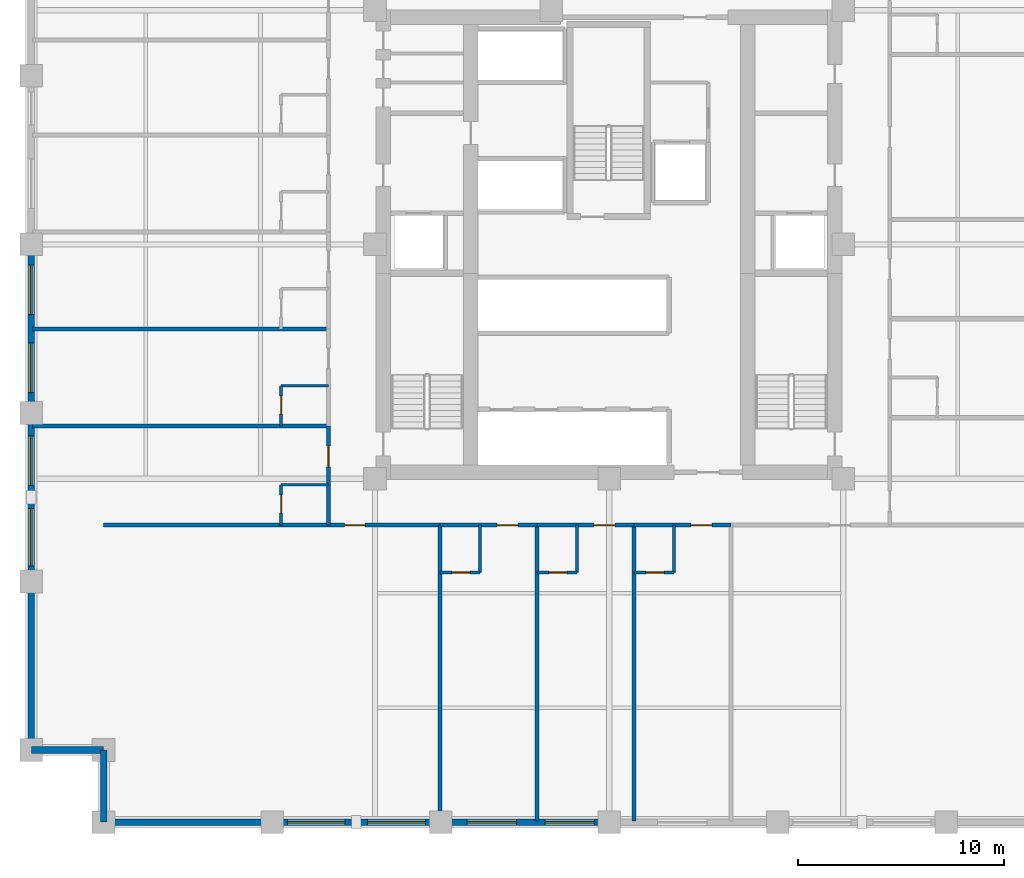
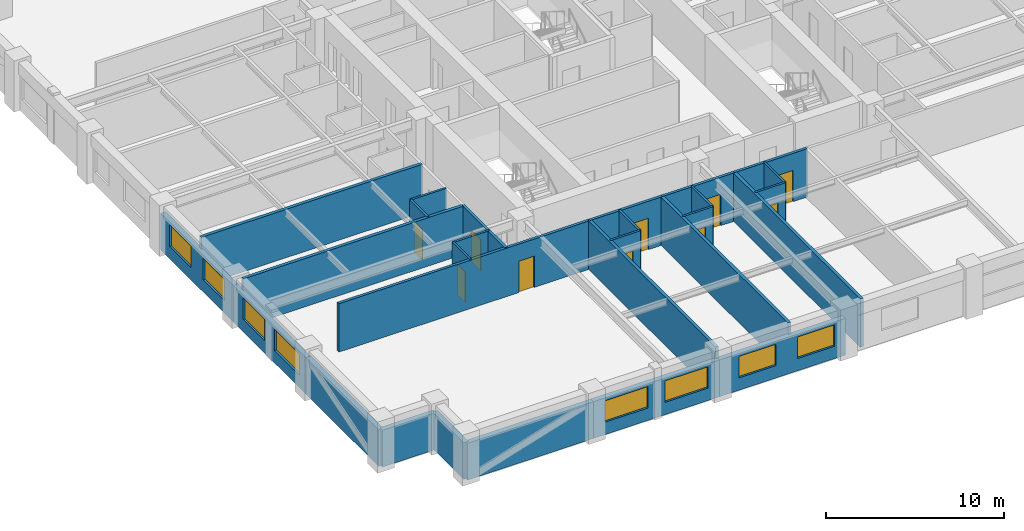
# One storey, part 2 of 8: 28 walls, 10 doors, 8 windows, 18 openings.
"""IFC4 building model written with IfcOpenShell, lengths in metres."""

from ifc_helpers import new_model, si_unit, direction, frame, frame_2d, origin, place, context, subcontext, project, spatial, rectangle, extrude, material, layer, layer_set, type_object, element, fill, save


model = new_model("IFC4")

# Units and contexts
model_context = context("Model", 3, precision=1e-05, world=origin(), true_north=direction((0.0, 1.0)))
body_context = subcontext(model_context, "Body", "Model", "MODEL_VIEW")
ifc_project = project(units=[si_unit("LENGTHUNIT", "METRE"), si_unit("AREAUNIT", "SQUARE_METRE"), si_unit("VOLUMEUNIT", "CUBIC_METRE"), si_unit("PLANEANGLEUNIT", "RADIAN"), si_unit("MASSUNIT", "GRAM", prefix="KILO")], contexts=[model_context])

# Site, building, storey
site_placement = place(None, origin())
site = spatial("IfcSite", under=ifc_project, at=site_placement, CompositionType="ELEMENT")
building_placement = place(site_placement, origin())
building = spatial("IfcBuilding", under=site, at=building_placement, Name="Nhamokura Convention Tower", CompositionType="ELEMENT")
storey_placement = place(building_placement, frame((0.0, 0.0, 45.85009765625)))
storey = spatial("IfcBuildingStorey", under=building, at=storey_placement, Name="L09", CompositionType="ELEMENT", Elevation=45.85009765625)

# Wall
ifc_material_1 = material(Name="Moisture-resistant tile-backer partition", Category="masonry")
ifc_layer_1 = layer(ifc_material_1, 0.139892578125)
ifc_layer_set_1 = layer_set([ifc_layer_1], Name="BathroomWetWall_140")
wall_type_1 = type_object("IfcWallType", Name="BathroomWetWall_140", PredefinedType="STANDARD", material=ifc_layer_set_1)
wall_1_placement = place(storey_placement, frame((25.75, 16.10009765625, 0.0), z_axis=(0.0, 0.0, 1.0), x_axis=(0.0, 1.0, 0.0)))
element("IfcWall", 1, at=wall_1_placement, inside=storey, type_object=wall_type_1, Name="L09 Wall INT-L09-BW-S01E", PredefinedType="STANDARD", context=body_context, shape_type="SweptSolid", body=[
    extrude(rectangle(XDim=2.2998046875, YDim=0.139892578125, at=frame_2d((1.14990234375, 0.0))), origin(), (0.0, 0.0, 1.0), 3.31982421875),
])

# Wall, opening, door
wall_2_placement = place(storey_placement, frame((23.800048828125, 16.10009765625, 0.0), z_axis=(0.0, 0.0, 1.0), x_axis=(1.0, 0.0, 0.0)))
wall_2 = element("IfcWall", 2, at=wall_2_placement, inside=storey, type_object=wall_type_1, Name="L09 Wall INT-L09-BW-S01S", PredefinedType="STANDARD", context=body_context, shape_type="SweptSolid", body=[
    extrude(rectangle(XDim=1.949951171875, YDim=0.139892578125, at=frame_2d((0.97509765625, 0.0))), origin(), (0.0, 0.0, 1.0), 3.31982421875),
])
opening_1_placement = place(wall_2_placement, frame((0.580078125, 0.0, 0.0)))
opening_1 = element("IfcOpeningElement", 3, at=opening_1_placement, cuts=wall_2, Name="Opening D-11", PredefinedType="OPENING", context=body_context, shape_type="SweptSolid", body=[
    extrude(rectangle(XDim=0.8798828125, YDim=2.10009765625, at=frame_2d((0.43994140625, 1.050048828125))), frame((0.0, 0.079833984375, 0.0), z_axis=(0.0, -1.0, 0.0), x_axis=(1.0, 0.0, 0.0)), (0.0, 0.0, 1.0), 0.159912109375),
])
ifc_material_2 = material(Name="Solid oak hardwood", Category="wood")
door_type_1 = type_object("IfcDoorType", Name="BathroomDoor_880", OperationType="NOTDEFINED", PredefinedType="DOOR", material=ifc_material_2)
door_1_placement = place(opening_1_placement, origin())
door_1 = element("IfcDoor", 4, at=door_1_placement, inside=storey, type_object=door_type_1, Name="L09 Guest Room En-suite Door", OperationType="SINGLE_SWING_LEFT", OverallHeight=2.10009765625, OverallWidth=0.8798828125, PredefinedType="DOOR", context=body_context, shape_type="SweptSolid", body=[
    extrude(rectangle(XDim=0.8798828125, YDim=2.10009765625, at=frame_2d((0.43994140625, 1.050048828125))), frame((0.0, 0.02490234375, 0.0), z_axis=(0.0, -1.0, 0.0), x_axis=(1.0, 0.0, 0.0)), (0.0, 0.0, 1.0), 0.050048828125),
])
fill(opening_1, door_1)

# Wall
wall_3_placement = place(storey_placement, frame((30.449951171875, 16.10009765625, 0.0), z_axis=(0.0, 0.0, 1.0), x_axis=(0.0, 1.0, 0.0)))
element("IfcWall", 5, at=wall_3_placement, inside=storey, type_object=wall_type_1, Name="L09 Wall INT-L09-BW-S02E", PredefinedType="STANDARD", context=body_context, shape_type="SweptSolid", body=[
    extrude(rectangle(XDim=2.2998046875, YDim=0.139892578125, at=frame_2d((1.14990234375, 0.0))), origin(), (0.0, 0.0, 1.0), 3.31982421875),
])

# Wall, opening, door
wall_4_placement = place(storey_placement, frame((28.5, 16.10009765625, 0.0), z_axis=(0.0, 0.0, 1.0), x_axis=(1.0, 0.0, 0.0)))
wall_4 = element("IfcWall", 6, at=wall_4_placement, inside=storey, type_object=wall_type_1, Name="L09 Wall INT-L09-BW-S02S", PredefinedType="STANDARD", context=body_context, shape_type="SweptSolid", body=[
    extrude(rectangle(XDim=1.949951171875, YDim=0.139892578125, at=frame_2d((0.97509765625, 0.0))), origin(), (0.0, 0.0, 1.0), 3.31982421875),
])
opening_2_placement = place(wall_4_placement, frame((0.580078125, 0.0, 0.0)))
opening_2 = element("IfcOpeningElement", 7, at=opening_2_placement, cuts=wall_4, Name="Opening D-11", PredefinedType="OPENING", context=body_context, shape_type="SweptSolid", body=[
    extrude(rectangle(XDim=0.8798828125, YDim=2.10009765625, at=frame_2d((0.43994140625, 1.050048828125))), frame((0.0, 0.079833984375, 0.0), z_axis=(0.0, -1.0, 0.0), x_axis=(1.0, 0.0, 0.0)), (0.0, 0.0, 1.0), 0.159912109375),
])
door_2_placement = place(opening_2_placement, origin())
door_2 = element("IfcDoor", 8, at=door_2_placement, inside=storey, type_object=door_type_1, Name="L09 Corner Suite En-suite Door", OperationType="SINGLE_SWING_LEFT", OverallHeight=2.10009765625, OverallWidth=0.8798828125, PredefinedType="DOOR", context=body_context, shape_type="SweptSolid", body=[
    extrude(rectangle(XDim=0.8798828125, YDim=2.10009765625, at=frame_2d((0.43994140625, 1.050048828125))), frame((0.0, 0.02490234375, 0.0), z_axis=(0.0, -1.0, 0.0), x_axis=(1.0, 0.0, 0.0)), (0.0, 0.0, 1.0), 0.050048828125),
])
fill(opening_2, door_2)

# Wall
wall_5_placement = place(storey_placement, frame((35.14990234375, 16.10009765625, 0.0), z_axis=(0.0, 0.0, 1.0), x_axis=(0.0, 1.0, 0.0)))
element("IfcWall", 9, at=wall_5_placement, inside=storey, type_object=wall_type_1, Name="L09 Wall INT-L09-BW-S03E", PredefinedType="STANDARD", context=body_context, shape_type="SweptSolid", body=[
    extrude(rectangle(XDim=2.2998046875, YDim=0.139892578125, at=frame_2d((1.14990234375, 0.0))), origin(), (0.0, 0.0, 1.0), 3.31982421875),
])

# Wall, opening, door
wall_6_placement = place(storey_placement, frame((33.199951171875, 16.10009765625, 0.0), z_axis=(0.0, 0.0, 1.0), x_axis=(1.0, 0.0, 0.0)))
wall_6 = element("IfcWall", 10, at=wall_6_placement, inside=storey, type_object=wall_type_1, Name="L09 Wall INT-L09-BW-S03S", PredefinedType="STANDARD", context=body_context, shape_type="SweptSolid", body=[
    extrude(rectangle(XDim=1.949951171875, YDim=0.139892578125, at=frame_2d((0.97509765625, 0.0))), origin(), (0.0, 0.0, 1.0), 3.31982421875),
])
opening_3_placement = place(wall_6_placement, frame((0.580078125, 0.0, 0.0)))
opening_3 = element("IfcOpeningElement", 11, at=opening_3_placement, cuts=wall_6, Name="Opening D-11", PredefinedType="OPENING", context=body_context, shape_type="SweptSolid", body=[
    extrude(rectangle(XDim=0.8798828125, YDim=2.10009765625, at=frame_2d((0.43994140625, 1.050048828125))), frame((0.0, 0.079833984375, 0.0), z_axis=(0.0, -1.0, 0.0), x_axis=(1.0, 0.0, 0.0)), (0.0, 0.0, 1.0), 0.159912109375),
])
door_3_placement = place(opening_3_placement, origin())
door_3 = element("IfcDoor", 12, at=door_3_placement, inside=storey, type_object=door_type_1, Name="L09 Guest Room En-suite Door", OperationType="SINGLE_SWING_LEFT", OverallHeight=2.10009765625, OverallWidth=0.8798828125, PredefinedType="DOOR", context=body_context, shape_type="SweptSolid", body=[
    extrude(rectangle(XDim=0.8798828125, YDim=2.10009765625, at=frame_2d((0.43994140625, 1.050048828125))), frame((0.0, 0.02490234375, 0.0), z_axis=(0.0, -1.0, 0.0), x_axis=(1.0, 0.0, 0.0)), (0.0, 0.0, 1.0), 0.050048828125),
])
fill(opening_3, door_3)

# Wall
wall_7_placement = place(storey_placement, frame((16.10009765625, 20.35009765625, 0.0), z_axis=(0.0, 0.0, 1.0), x_axis=(1.0, 0.0, 0.0)))
element("IfcWall", 13, at=wall_7_placement, inside=storey, type_object=wall_type_1, Name="L09 Wall INT-L09-BW-W00N", PredefinedType="STANDARD", context=body_context, shape_type="SweptSolid", body=[
    extrude(rectangle(XDim=2.2998046875, YDim=0.139892578125, at=frame_2d((1.14990234375, 0.0))), origin(), (0.0, 0.0, 1.0), 3.31982421875),
])

# Wall, opening, door
wall_8_placement = place(storey_placement, frame((16.10009765625, 18.39990234375, 0.0), z_axis=(0.0, 0.0, 1.0), x_axis=(0.0, 1.0, 0.0)))
wall_8 = element("IfcWall", 14, at=wall_8_placement, inside=storey, type_object=wall_type_1, Name="L09 Wall INT-L09-BW-W00W", PredefinedType="STANDARD", context=body_context, shape_type="SweptSolid", body=[
    extrude(rectangle(XDim=1.9501953125, YDim=0.139892578125, at=frame_2d((0.97509765625, 0.0))), origin(), (0.0, 0.0, 1.0), 3.31982421875),
])
opening_4_placement = place(wall_8_placement, frame((0.580078125, 0.0, 0.0)))
opening_4 = element("IfcOpeningElement", 15, at=opening_4_placement, cuts=wall_8, Name="Opening D-11", PredefinedType="OPENING", context=body_context, shape_type="SweptSolid", body=[
    extrude(rectangle(XDim=0.8798828125, YDim=2.10009765625, at=frame_2d((0.43994140625, 1.050048828125))), frame((0.0, 0.079833984375, 0.0), z_axis=(0.0, -1.0, 0.0), x_axis=(1.0, 0.0, 0.0)), (0.0, 0.0, 1.0), 0.159912109375),
])
door_4_placement = place(opening_4_placement, origin())
door_4 = element("IfcDoor", 16, at=door_4_placement, inside=storey, type_object=door_type_1, Name="L09 Guest Room En-suite Door", OperationType="SINGLE_SWING_RIGHT", OverallHeight=2.10009765625, OverallWidth=0.8798828125, PredefinedType="DOOR", context=body_context, shape_type="SweptSolid", body=[
    extrude(rectangle(XDim=0.8798828125, YDim=2.10009765625, at=frame_2d((0.43994140625, 1.050048828125))), frame((0.0, 0.02490234375, 0.0), z_axis=(0.0, -1.0, 0.0), x_axis=(1.0, 0.0, 0.0)), (0.0, 0.0, 1.0), 0.050048828125),
])
fill(opening_4, door_4)

# Wall
wall_9_placement = place(storey_placement, frame((16.10009765625, 25.14990234375, 0.0), z_axis=(0.0, 0.0, 1.0), x_axis=(1.0, 0.0, 0.0)))
element("IfcWall", 17, at=wall_9_placement, inside=storey, type_object=wall_type_1, Name="L09 Wall INT-L09-BW-W01N", PredefinedType="STANDARD", context=body_context, shape_type="SweptSolid", body=[
    extrude(rectangle(XDim=2.2998046875, YDim=0.139892578125, at=frame_2d((1.14990234375, 0.0))), origin(), (0.0, 0.0, 1.0), 3.31982421875),
])

# Wall, opening, door
wall_10_placement = place(storey_placement, frame((16.10009765625, 23.199951171875, 0.0), z_axis=(0.0, 0.0, 1.0), x_axis=(0.0, 1.0, 0.0)))
wall_10 = element("IfcWall", 18, at=wall_10_placement, inside=storey, type_object=wall_type_1, Name="L09 Wall INT-L09-BW-W01W", PredefinedType="STANDARD", context=body_context, shape_type="SweptSolid", body=[
    extrude(rectangle(XDim=1.949951171875, YDim=0.139892578125, at=frame_2d((0.97509765625, 0.0))), origin(), (0.0, 0.0, 1.0), 3.31982421875),
])
opening_5_placement = place(wall_10_placement, frame((0.580078125, 0.0, 0.0)))
opening_5 = element("IfcOpeningElement", 19, at=opening_5_placement, cuts=wall_10, Name="Opening D-11", PredefinedType="OPENING", context=body_context, shape_type="SweptSolid", body=[
    extrude(rectangle(XDim=0.8798828125, YDim=2.10009765625, at=frame_2d((0.43994140625, 1.050048828125))), frame((0.0, 0.079833984375, 0.0), z_axis=(0.0, -1.0, 0.0), x_axis=(1.0, 0.0, 0.0)), (0.0, 0.0, 1.0), 0.159912109375),
])
door_5_placement = place(opening_5_placement, origin())
door_5 = element("IfcDoor", 20, at=door_5_placement, inside=storey, type_object=door_type_1, Name="L09 Club Room En-suite Door", OperationType="SINGLE_SWING_RIGHT", OverallHeight=2.10009765625, OverallWidth=0.8798828125, PredefinedType="DOOR", context=body_context, shape_type="SweptSolid", body=[
    extrude(rectangle(XDim=0.8798828125, YDim=2.10009765625, at=frame_2d((0.43994140625, 1.050048828125))), frame((0.0, 0.02490234375, 0.0), z_axis=(0.0, -1.0, 0.0), x_axis=(1.0, 0.0, 0.0)), (0.0, 0.0, 1.0), 0.050048828125),
])
fill(opening_5, door_5)

# Wall
ifc_material_3 = material(Name="Bronze-pigmented precast concrete C45/55", Category="concrete")
ifc_layer_2 = layer(ifc_material_3, 0.320068359375)
ifc_layer_set_2 = layer_set([ifc_layer_2], Name="BronzePrecastSpandrel_320")
wall_type_2 = type_object("IfcWallType", Name="BronzePrecastSpandrel_320", PredefinedType="USERDEFINED", material=ifc_layer_set_2)
wall_11_placement = place(storey_placement, frame((15.666748046875, 4.0, 0.0), z_axis=(0.0, 0.0, 1.0), x_axis=(-1.0, 0.0, 0.0)))
element("IfcWall", 21, at=wall_11_placement, inside=storey, type_object=wall_type_2, Name="L09 Braced-Bay Precast Wall SOUTH 0", ObjectType="SPANDREL_WALL", PredefinedType="USERDEFINED", context=body_context, shape_type="SweptSolid", body=[
    extrude(rectangle(XDim=8.166748046875, YDim=0.320068359375, at=frame_2d((4.08349609375, 0.0))), origin(), (0.0, 0.0, 1.0), 2.52001953125),
])

# Wall, openings, windows
wall_12_placement = place(storey_placement, frame((23.833251953125, 4.0, 0.0), z_axis=(0.0, 0.0, 1.0), x_axis=(-1.0, 0.0, 0.0)))
wall_12 = element("IfcWall", 22, at=wall_12_placement, inside=storey, type_object=wall_type_2, Name="L09 Masonry-Frame Wall SOUTH 1", ObjectType="SPANDREL_WALL", PredefinedType="USERDEFINED", context=body_context, shape_type="SweptSolid", body=[
    extrude(rectangle(XDim=8.16650390625, YDim=0.320068359375, at=frame_2d((4.083251953125, 0.0))), origin(), (0.0, 0.0, 1.0), 2.52001953125),
])
opening_6_placement = place(wall_12_placement, frame((0.74169921875, 0.0, 0.85009765625)))
opening_6 = element("IfcOpeningElement", 23, at=opening_6_placement, cuts=wall_12, Name="Opening W-04", PredefinedType="OPENING", context=body_context, shape_type="SweptSolid", body=[
    extrude(rectangle(XDim=2.800048828125, YDim=1.469970703125, at=frame_2d((1.39990234375, 0.73486328125))), frame((0.0, 0.169921875, 0.0), z_axis=(0.0, -1.0, 0.0), x_axis=(1.0, 0.0, 0.0)), (0.0, 0.0, 1.0), 0.340087890625),
])
opening_7_placement = place(wall_12_placement, frame((4.625, 0.0, 0.85009765625)))
opening_7 = element("IfcOpeningElement", 24, at=opening_7_placement, cuts=wall_12, Name="Opening W-04", PredefinedType="OPENING", context=body_context, shape_type="SweptSolid", body=[
    extrude(rectangle(XDim=2.800048828125, YDim=1.469970703125, at=frame_2d((1.39990234375, 0.73486328125))), frame((0.0, 0.169921875, 0.0), z_axis=(0.0, -1.0, 0.0), x_axis=(1.0, 0.0, 0.0)), (0.0, 0.0, 1.0), 0.340087890625),
])
ifc_material_4 = material(Name="Solar-control bronze low-E double glass", Category="glass")
window_type_1 = type_object("IfcWindowType", Name="HotelSuiteWindow_2800", PartitioningType="DOUBLE_PANEL_VERTICAL", PredefinedType="WINDOW", material=ifc_material_4)
window_1_placement = place(opening_6_placement, origin())
window_1 = element("IfcWindow", 25, at=window_1_placement, inside=storey, type_object=window_type_1, Name="L09 Facade Window SOUTH 1-1", OverallHeight=1.469970703125, OverallWidth=2.800048828125, PartitioningType="SINGLE_PANEL", PredefinedType="WINDOW", context=body_context, shape_type="SweptSolid", body=[
    extrude(rectangle(XDim=2.800048828125, YDim=1.469970703125, at=frame_2d((1.39990234375, 0.73486328125))), frame((0.0, 0.030029296875, 0.0), z_axis=(0.0, -1.0, 0.0), x_axis=(1.0, 0.0, 0.0)), (0.0, 0.0, 1.0), 0.06005859375),
])
fill(opening_6, window_1)
window_2_placement = place(opening_7_placement, origin())
window_2 = element("IfcWindow", 26, at=window_2_placement, inside=storey, type_object=window_type_1, Name="L09 Facade Window SOUTH 1-2", OverallHeight=1.469970703125, OverallWidth=2.800048828125, PartitioningType="SINGLE_PANEL", PredefinedType="WINDOW", context=body_context, shape_type="SweptSolid", body=[
    extrude(rectangle(XDim=2.800048828125, YDim=1.469970703125, at=frame_2d((1.39990234375, 0.73486328125))), frame((0.0, 0.030029296875, 0.0), z_axis=(0.0, -1.0, 0.0), x_axis=(1.0, 0.0, 0.0)), (0.0, 0.0, 1.0), 0.06005859375),
])
fill(opening_7, window_2)

wall_13_placement = place(storey_placement, frame((32.0, 4.0, 0.0), z_axis=(0.0, 0.0, 1.0), x_axis=(-1.0, 0.0, 0.0)))
wall_13 = element("IfcWall", 27, at=wall_13_placement, inside=storey, type_object=wall_type_2, Name="L09 Masonry-Frame Wall SOUTH 2", ObjectType="SPANDREL_WALL", PredefinedType="USERDEFINED", context=body_context, shape_type="SweptSolid", body=[
    extrude(rectangle(XDim=8.166748046875, YDim=0.320068359375, at=frame_2d((4.08349609375, 0.0))), origin(), (0.0, 0.0, 1.0), 2.52001953125),
])
opening_8_placement = place(wall_13_placement, frame((0.699951171875, 0.0, 0.85009765625)))
opening_8 = element("IfcOpeningElement", 28, at=opening_8_placement, cuts=wall_13, Name="Opening W-03", PredefinedType="OPENING", context=body_context, shape_type="SweptSolid", body=[
    extrude(rectangle(XDim=2.39990234375, YDim=1.469970703125, at=frame_2d((1.199951171875, 0.73486328125))), frame((0.0, 0.169921875, 0.0), z_axis=(0.0, -1.0, 0.0), x_axis=(1.0, 0.0, 0.0)), (0.0, 0.0, 1.0), 0.340087890625),
])
opening_9_placement = place(wall_13_placement, frame((4.4833984375, 0.0, 0.85009765625)))
opening_9 = element("IfcOpeningElement", 29, at=opening_9_placement, cuts=wall_13, Name="Opening W-03", PredefinedType="OPENING", context=body_context, shape_type="SweptSolid", body=[
    extrude(rectangle(XDim=2.39990234375, YDim=1.469970703125, at=frame_2d((1.199951171875, 0.73486328125))), frame((0.0, 0.169921875, 0.0), z_axis=(0.0, -1.0, 0.0), x_axis=(1.0, 0.0, 0.0)), (0.0, 0.0, 1.0), 0.340087890625),
])
ifc_material_5 = material(Name="Solar-control bronze low-E double glass", Category="glass")
window_type_2 = type_object("IfcWindowType", Name="HotelBayWindow_2400", PartitioningType="DOUBLE_PANEL_VERTICAL", PredefinedType="WINDOW", material=ifc_material_5)
window_3_placement = place(opening_8_placement, origin())
window_3 = element("IfcWindow", 30, at=window_3_placement, inside=storey, type_object=window_type_2, Name="L09 Facade Window SOUTH 2-1", OverallHeight=1.469970703125, OverallWidth=2.39990234375, PartitioningType="SINGLE_PANEL", PredefinedType="WINDOW", context=body_context, shape_type="SweptSolid", body=[
    extrude(rectangle(XDim=2.39990234375, YDim=1.469970703125, at=frame_2d((1.199951171875, 0.73486328125))), frame((0.0, 0.030029296875, 0.0), z_axis=(0.0, -1.0, 0.0), x_axis=(1.0, 0.0, 0.0)), (0.0, 0.0, 1.0), 0.06005859375),
])
fill(opening_8, window_3)
window_4_placement = place(opening_9_placement, origin())
window_4 = element("IfcWindow", 31, at=window_4_placement, inside=storey, type_object=window_type_2, Name="L09 Facade Window SOUTH 2-2", OverallHeight=1.469970703125, OverallWidth=2.39990234375, PartitioningType="SINGLE_PANEL", PredefinedType="WINDOW", context=body_context, shape_type="SweptSolid", body=[
    extrude(rectangle(XDim=2.39990234375, YDim=1.469970703125, at=frame_2d((1.199951171875, 0.73486328125))), frame((0.0, 0.030029296875, 0.0), z_axis=(0.0, -1.0, 0.0), x_axis=(1.0, 0.0, 0.0)), (0.0, 0.0, 1.0), 0.06005859375),
])
fill(opening_9, window_4)

# Wall
wall_14_placement = place(storey_placement, frame((4.0, 7.5, 0.0), z_axis=(0.0, 0.0, 1.0), x_axis=(0.0, 1.0, 0.0)))
element("IfcWall", 32, at=wall_14_placement, inside=storey, type_object=wall_type_2, Name="L09 Braced-Bay Precast Wall WEST 0", ObjectType="SPANDREL_WALL", PredefinedType="USERDEFINED", context=body_context, shape_type="SweptSolid", body=[
    extrude(rectangle(XDim=8.166748046875, YDim=0.320068359375, at=frame_2d((4.08349609375, 0.0))), origin(), (0.0, 0.0, 1.0), 2.52001953125),
])

# Wall, openings, windows
wall_15_placement = place(storey_placement, frame((4.0, 15.666748046875, 0.0), z_axis=(0.0, 0.0, 1.0), x_axis=(0.0, 1.0, 0.0)))
wall_15 = element("IfcWall", 33, at=wall_15_placement, inside=storey, type_object=wall_type_2, Name="L09 Masonry-Frame Wall WEST 1", ObjectType="SPANDREL_WALL", PredefinedType="USERDEFINED", context=body_context, shape_type="SweptSolid", body=[
    extrude(rectangle(XDim=8.16650390625, YDim=0.320068359375, at=frame_2d((4.083251953125, 0.0))), origin(), (0.0, 0.0, 1.0), 2.52001953125),
])
opening_10_placement = place(wall_15_placement, frame((0.74169921875, 0.0, 0.85009765625)))
opening_10 = element("IfcOpeningElement", 34, at=opening_10_placement, cuts=wall_15, Name="Opening W-04", PredefinedType="OPENING", context=body_context, shape_type="SweptSolid", body=[
    extrude(rectangle(XDim=2.800048828125, YDim=1.469970703125, at=frame_2d((1.39990234375, 0.73486328125))), frame((0.0, 0.169921875, 0.0), z_axis=(0.0, -1.0, 0.0), x_axis=(1.0, 0.0, 0.0)), (0.0, 0.0, 1.0), 0.340087890625),
])
opening_11_placement = place(wall_15_placement, frame((4.658203125, 0.0, 0.85009765625)))
opening_11 = element("IfcOpeningElement", 35, at=opening_11_placement, cuts=wall_15, Name="Opening W-03", PredefinedType="OPENING", context=body_context, shape_type="SweptSolid", body=[
    extrude(rectangle(XDim=2.39990234375, YDim=1.469970703125, at=frame_2d((1.199951171875, 0.73486328125))), frame((0.0, 0.169921875, 0.0), z_axis=(0.0, -1.0, 0.0), x_axis=(1.0, 0.0, 0.0)), (0.0, 0.0, 1.0), 0.340087890625),
])
window_5_placement = place(opening_11_placement, origin())
window_5 = element("IfcWindow", 36, at=window_5_placement, inside=storey, type_object=window_type_2, Name="L09 Facade Window WEST 1-2", OverallHeight=1.469970703125, OverallWidth=2.39990234375, PartitioningType="SINGLE_PANEL", PredefinedType="WINDOW", context=body_context, shape_type="SweptSolid", body=[
    extrude(rectangle(XDim=2.39990234375, YDim=1.469970703125, at=frame_2d((1.199951171875, 0.73486328125))), frame((0.0, 0.030029296875, 0.0), z_axis=(0.0, -1.0, 0.0), x_axis=(1.0, 0.0, 0.0)), (0.0, 0.0, 1.0), 0.06005859375),
])
fill(opening_11, window_5)
window_6_placement = place(opening_10_placement, origin())
window_6 = element("IfcWindow", 37, at=window_6_placement, inside=storey, type_object=window_type_1, Name="L09 Facade Window WEST 1-1", OverallHeight=1.469970703125, OverallWidth=2.800048828125, PartitioningType="SINGLE_PANEL", PredefinedType="WINDOW", context=body_context, shape_type="SweptSolid", body=[
    extrude(rectangle(XDim=2.800048828125, YDim=1.469970703125, at=frame_2d((1.39990234375, 0.73486328125))), frame((0.0, 0.030029296875, 0.0), z_axis=(0.0, -1.0, 0.0), x_axis=(1.0, 0.0, 0.0)), (0.0, 0.0, 1.0), 0.06005859375),
])
fill(opening_10, window_6)

wall_16_placement = place(storey_placement, frame((4.0, 23.833251953125, 0.0), z_axis=(0.0, 0.0, 1.0), x_axis=(0.0, 1.0, 0.0)))
wall_16 = element("IfcWall", 38, at=wall_16_placement, inside=storey, type_object=wall_type_2, Name="L09 Masonry-Frame Wall WEST 2", ObjectType="SPANDREL_WALL", PredefinedType="USERDEFINED", context=body_context, shape_type="SweptSolid", body=[
    extrude(rectangle(XDim=8.166748046875, YDim=0.320068359375, at=frame_2d((4.08349609375, 0.0))), origin(), (0.0, 0.0, 1.0), 2.52001953125),
])
opening_12_placement = place(wall_16_placement, frame((0.9833984375, 0.0, 0.85009765625)))
opening_12 = element("IfcOpeningElement", 39, at=opening_12_placement, cuts=wall_16, Name="Opening W-03", PredefinedType="OPENING", context=body_context, shape_type="SweptSolid", body=[
    extrude(rectangle(XDim=2.39990234375, YDim=1.469970703125, at=frame_2d((1.199951171875, 0.73486328125))), frame((0.0, 0.169921875, 0.0), z_axis=(0.0, -1.0, 0.0), x_axis=(1.0, 0.0, 0.0)), (0.0, 0.0, 1.0), 0.340087890625),
])
opening_13_placement = place(wall_16_placement, frame((4.7666015625, 0.0, 0.85009765625)))
opening_13 = element("IfcOpeningElement", 40, at=opening_13_placement, cuts=wall_16, Name="Opening W-03", PredefinedType="OPENING", context=body_context, shape_type="SweptSolid", body=[
    extrude(rectangle(XDim=2.39990234375, YDim=1.469970703125, at=frame_2d((1.199951171875, 0.73486328125))), frame((0.0, 0.169921875, 0.0), z_axis=(0.0, -1.0, 0.0), x_axis=(1.0, 0.0, 0.0)), (0.0, 0.0, 1.0), 0.340087890625),
])
window_7_placement = place(opening_12_placement, origin())
window_7 = element("IfcWindow", 41, at=window_7_placement, inside=storey, type_object=window_type_2, Name="L09 Facade Window WEST 2-1", OverallHeight=1.469970703125, OverallWidth=2.39990234375, PartitioningType="SINGLE_PANEL", PredefinedType="WINDOW", context=body_context, shape_type="SweptSolid", body=[
    extrude(rectangle(XDim=2.39990234375, YDim=1.469970703125, at=frame_2d((1.199951171875, 0.73486328125))), frame((0.0, 0.030029296875, 0.0), z_axis=(0.0, -1.0, 0.0), x_axis=(1.0, 0.0, 0.0)), (0.0, 0.0, 1.0), 0.06005859375),
])
fill(opening_12, window_7)
window_8_placement = place(opening_13_placement, origin())
window_8 = element("IfcWindow", 42, at=window_8_placement, inside=storey, type_object=window_type_2, Name="L09 Facade Window WEST 2-2", OverallHeight=1.469970703125, OverallWidth=2.39990234375, PartitioningType="SINGLE_PANEL", PredefinedType="WINDOW", context=body_context, shape_type="SweptSolid", body=[
    extrude(rectangle(XDim=2.39990234375, YDim=1.469970703125, at=frame_2d((1.199951171875, 0.73486328125))), frame((0.0, 0.030029296875, 0.0), z_axis=(0.0, -1.0, 0.0), x_axis=(1.0, 0.0, 0.0)), (0.0, 0.0, 1.0), 0.06005859375),
])
fill(opening_13, window_8)

# Walls
for number, where, z_axis, x_axis, name in (
    (43, (7.5, 4.0, 0.0), (0.0, 0.0, 1.0), (0.0, 1.0, 0.0), "L09 Notched Corner Wall SW1"),
    (44, (7.5, 7.5, 0.0), (0.0, 0.0, 1.0), (-1.0, 0.0, 0.0), "L09 Notched Corner Wall SW2"),
):
    element("IfcWall", number, at=place(storey_placement, frame(where, z_axis=z_axis, x_axis=x_axis)), inside=storey, type_object=wall_type_2, Name=name, ObjectType="SPANDREL_WALL", PredefinedType="USERDEFINED", context=body_context, shape_type="SweptSolid", body=[
        extrude(rectangle(XDim=3.5, YDim=0.320068359375, at=frame_2d((1.75, 0.0))), origin(), (0.0, 0.0, 1.0), 2.52001953125),
    ])

# Wall, opening, door
ifc_material_6 = material(Name="Fire-rated gypsum and masonry partition", Category="masonry")
ifc_layer_3 = layer(ifc_material_6, 0.179931640625)
ifc_layer_set_3 = layer_set([ifc_layer_3], Name="CorridorRatedWall_180")
wall_type_3 = type_object("IfcWallType", Name="CorridorRatedWall_180", PredefinedType="STANDARD", material=ifc_layer_set_3)
wall_17_placement = place(storey_placement, frame((7.5, 18.39990234375, 0.0), z_axis=(0.0, 0.0, 1.0), x_axis=(1.0, 0.0, 0.0)))
wall_17 = element("IfcWall", 45, at=wall_17_placement, inside=storey, type_object=wall_type_3, Name="L09 Wall INT-L09-CW-S00", PredefinedType="STANDARD", context=body_context, shape_type="SweptSolid", body=[
    extrude(rectangle(XDim=16.300048828125, YDim=0.179931640625, at=frame_2d((8.14990234375, 0.0))), origin(), (0.0, 0.0, 1.0), 3.31982421875),
])
opening_14_placement = place(wall_17_placement, frame((11.675048828125, 0.0, 0.0)))
opening_14 = element("IfcOpeningElement", 46, at=opening_14_placement, cuts=wall_17, Name="Opening D-07", PredefinedType="OPENING", context=body_context, shape_type="SweptSolid", body=[
    extrude(rectangle(XDim=1.0, YDim=2.14990234375, at=frame_2d((0.5, 1.074951171875))), frame((0.0, 0.099853515625, 0.0), z_axis=(0.0, -1.0, 0.0), x_axis=(1.0, 0.0, 0.0)), (0.0, 0.0, 1.0), 0.199951171875),
])
ifc_material_7 = material(Name="Solid oak hardwood", Category="wood")
door_type_2 = type_object("IfcDoorType", Name="HotelSuiteEntryDoor_1000", OperationType="NOTDEFINED", PredefinedType="DOOR", material=ifc_material_7)
door_6_placement = place(opening_14_placement, origin())
door_6 = element("IfcDoor", 47, at=door_6_placement, inside=storey, type_object=door_type_2, Name="L09 Conference Salon S01 Door", OperationType="SINGLE_SWING_LEFT", OverallHeight=2.14990234375, OverallWidth=1.0, PredefinedType="DOOR", context=body_context, shape_type="SweptSolid", body=[
    extrude(rectangle(XDim=1.0, YDim=2.14990234375, at=frame_2d((0.5, 1.074951171875))), frame((0.0, 0.02490234375, 0.0), z_axis=(0.0, -1.0, 0.0), x_axis=(1.0, 0.0, 0.0)), (0.0, 0.0, 1.0), 0.050048828125),
])
fill(opening_14, door_6)

wall_18_placement = place(storey_placement, frame((23.800048828125, 18.39990234375, 0.0), z_axis=(0.0, 0.0, 1.0), x_axis=(1.0, 0.0, 0.0)))
wall_18 = element("IfcWall", 48, at=wall_18_placement, inside=storey, type_object=wall_type_3, Name="L09 Wall INT-L09-CW-S01", PredefinedType="STANDARD", context=body_context, shape_type="SweptSolid", body=[
    extrude(rectangle(XDim=4.699951171875, YDim=0.179931640625, at=frame_2d((2.35009765625, 0.0))), origin(), (0.0, 0.0, 1.0), 3.31982421875),
])
opening_15_placement = place(wall_18_placement, frame((2.77490234375, 0.0, 0.0)))
opening_15 = element("IfcOpeningElement", 49, at=opening_15_placement, cuts=wall_18, Name="Opening D-07", PredefinedType="OPENING", context=body_context, shape_type="SweptSolid", body=[
    extrude(rectangle(XDim=1.0, YDim=2.14990234375, at=frame_2d((0.5, 1.074951171875))), frame((0.0, 0.099853515625, 0.0), z_axis=(0.0, -1.0, 0.0), x_axis=(1.0, 0.0, 0.0)), (0.0, 0.0, 1.0), 0.199951171875),
])
door_7_placement = place(opening_15_placement, origin())
door_7 = element("IfcDoor", 50, at=door_7_placement, inside=storey, type_object=door_type_2, Name="L09 Guest Room S02 Door", OperationType="SINGLE_SWING_RIGHT", OverallHeight=2.14990234375, OverallWidth=1.0, PredefinedType="DOOR", context=body_context, shape_type="SweptSolid", body=[
    extrude(rectangle(XDim=1.0, YDim=2.14990234375, at=frame_2d((0.5, 1.074951171875))), frame((0.0, 0.02490234375, 0.0), z_axis=(0.0, -1.0, 0.0), x_axis=(1.0, 0.0, 0.0)), (0.0, 0.0, 1.0), 0.050048828125),
])
fill(opening_15, door_7)

wall_19_placement = place(storey_placement, frame((28.5, 18.39990234375, 0.0), z_axis=(0.0, 0.0, 1.0), x_axis=(1.0, 0.0, 0.0)))
wall_19 = element("IfcWall", 51, at=wall_19_placement, inside=storey, type_object=wall_type_3, Name="L09 Wall INT-L09-CW-S02", PredefinedType="STANDARD", context=body_context, shape_type="SweptSolid", body=[
    extrude(rectangle(XDim=4.699951171875, YDim=0.179931640625, at=frame_2d((2.35009765625, 0.0))), origin(), (0.0, 0.0, 1.0), 3.31982421875),
])
opening_16_placement = place(wall_19_placement, frame((2.77490234375, 0.0, 0.0)))
opening_16 = element("IfcOpeningElement", 52, at=opening_16_placement, cuts=wall_19, Name="Opening D-07", PredefinedType="OPENING", context=body_context, shape_type="SweptSolid", body=[
    extrude(rectangle(XDim=1.0, YDim=2.14990234375, at=frame_2d((0.5, 1.074951171875))), frame((0.0, 0.099853515625, 0.0), z_axis=(0.0, -1.0, 0.0), x_axis=(1.0, 0.0, 0.0)), (0.0, 0.0, 1.0), 0.199951171875),
])
door_8_placement = place(opening_16_placement, origin())
door_8 = element("IfcDoor", 53, at=door_8_placement, inside=storey, type_object=door_type_2, Name="L09 Corner Suite S03 Door", OperationType="SINGLE_SWING_LEFT", OverallHeight=2.14990234375, OverallWidth=1.0, PredefinedType="DOOR", context=body_context, shape_type="SweptSolid", body=[
    extrude(rectangle(XDim=1.0, YDim=2.14990234375, at=frame_2d((0.5, 1.074951171875))), frame((0.0, 0.02490234375, 0.0), z_axis=(0.0, -1.0, 0.0), x_axis=(1.0, 0.0, 0.0)), (0.0, 0.0, 1.0), 0.050048828125),
])
fill(opening_16, door_8)

wall_20_placement = place(storey_placement, frame((33.199951171875, 18.39990234375, 0.0), z_axis=(0.0, 0.0, 1.0), x_axis=(1.0, 0.0, 0.0)))
wall_20 = element("IfcWall", 54, at=wall_20_placement, inside=storey, type_object=wall_type_3, Name="L09 Wall INT-L09-CW-S03", PredefinedType="STANDARD", context=body_context, shape_type="SweptSolid", body=[
    extrude(rectangle(XDim=4.699951171875, YDim=0.179931640625, at=frame_2d((2.35009765625, 0.0))), origin(), (0.0, 0.0, 1.0), 3.31982421875),
])
opening_17_placement = place(wall_20_placement, frame((2.77490234375, 0.0, 0.0)))
opening_17 = element("IfcOpeningElement", 55, at=opening_17_placement, cuts=wall_20, Name="Opening D-07", PredefinedType="OPENING", context=body_context, shape_type="SweptSolid", body=[
    extrude(rectangle(XDim=1.0, YDim=2.14990234375, at=frame_2d((0.5, 1.074951171875))), frame((0.0, 0.099853515625, 0.0), z_axis=(0.0, -1.0, 0.0), x_axis=(1.0, 0.0, 0.0)), (0.0, 0.0, 1.0), 0.199951171875),
])
door_9_placement = place(opening_17_placement, origin())
door_9 = element("IfcDoor", 56, at=door_9_placement, inside=storey, type_object=door_type_2, Name="L09 Guest Room S04 Door", OperationType="SINGLE_SWING_RIGHT", OverallHeight=2.14990234375, OverallWidth=1.0, PredefinedType="DOOR", context=body_context, shape_type="SweptSolid", body=[
    extrude(rectangle(XDim=1.0, YDim=2.14990234375, at=frame_2d((0.5, 1.074951171875))), frame((0.0, 0.02490234375, 0.0), z_axis=(0.0, -1.0, 0.0), x_axis=(1.0, 0.0, 0.0)), (0.0, 0.0, 1.0), 0.050048828125),
])
fill(opening_17, door_9)

wall_21_placement = place(storey_placement, frame((18.39990234375, 18.39990234375, 0.0), z_axis=(0.0, 0.0, 1.0), x_axis=(0.0, 1.0, 0.0)))
wall_21 = element("IfcWall", 57, at=wall_21_placement, inside=storey, type_object=wall_type_3, Name="L09 Wall INT-L09-CW-W00", PredefinedType="STANDARD", context=body_context, shape_type="SweptSolid", body=[
    extrude(rectangle(XDim=4.800048828125, YDim=0.179931640625, at=frame_2d((2.39990234375, 0.0))), origin(), (0.0, 0.0, 1.0), 3.31982421875),
])
opening_18_placement = place(wall_21_placement, frame((2.824951171875, 0.0, 0.0)))
opening_18 = element("IfcOpeningElement", 58, at=opening_18_placement, cuts=wall_21, Name="Opening D-07", PredefinedType="OPENING", context=body_context, shape_type="SweptSolid", body=[
    extrude(rectangle(XDim=1.0, YDim=2.14990234375, at=frame_2d((0.5, 1.074951171875))), frame((0.0, 0.099853515625, 0.0), z_axis=(0.0, -1.0, 0.0), x_axis=(1.0, 0.0, 0.0)), (0.0, 0.0, 1.0), 0.199951171875),
])
door_10_placement = place(opening_18_placement, origin())
door_10 = element("IfcDoor", 59, at=door_10_placement, inside=storey, type_object=door_type_2, Name="L09 Guest Room W01 Door", OperationType="SINGLE_SWING_LEFT", OverallHeight=2.14990234375, OverallWidth=1.0, PredefinedType="DOOR", context=body_context, shape_type="SweptSolid", body=[
    extrude(rectangle(XDim=1.0, YDim=2.14990234375, at=frame_2d((0.5, 1.074951171875))), frame((0.0, 0.02490234375, 0.0), z_axis=(0.0, -1.0, 0.0), x_axis=(1.0, 0.0, 0.0)), (0.0, 0.0, 1.0), 0.050048828125),
])
fill(opening_18, door_10)

# Walls
ifc_material_8 = material(Name="Acoustic twin-stud gypsum partition", Category="masonry")
ifc_layer_4 = layer(ifc_material_8, 0.199951171875)
ifc_layer_set_4 = layer_set([ifc_layer_4], Name="HotelDemisingWall_200")
wall_type_4 = type_object("IfcWallType", Name="HotelDemisingWall_200", PredefinedType="STANDARD", material=ifc_layer_set_4)
for number, where, z_axis, x_axis, name in (
    (60, (23.800048828125, 4.06005859375, 0.0), (0.0, 0.0, 1.0), (0.0, 1.0, 0.0), "L09 Wall INT-L09-RW-S01"),
    (61, (28.5, 4.06005859375, 0.0), (0.0, 0.0, 1.0), (0.0, 1.0, 0.0), "L09 Wall INT-L09-RW-S02"),
    (62, (33.199951171875, 4.06005859375, 0.0), (0.0, 0.0, 1.0), (0.0, 1.0, 0.0), "L09 Wall INT-L09-RW-S03"),
    (63, (4.06005859375, 23.199951171875, 0.0), (0.0, 0.0, 1.0), (1.0, 0.0, 0.0), "L09 Wall INT-L09-RW-W01"),
    (64, (4.06005859375, 27.89990234375, 0.0), (0.0, 0.0, 1.0), (1.0, 0.0, 0.0), "L09 Wall INT-L09-RW-W02"),
):
    element("IfcWall", number, at=place(storey_placement, frame(where, z_axis=z_axis, x_axis=x_axis)), inside=storey, type_object=wall_type_4, Name=name, PredefinedType="STANDARD", context=body_context, shape_type="SweptSolid", body=[
        extrude(rectangle(XDim=14.33984375, YDim=0.199951171875, at=frame_2d((7.169921875, 0.0))), origin(), (0.0, 0.0, 1.0), 3.31982421875),
    ])

save(model, "model.ifc")
